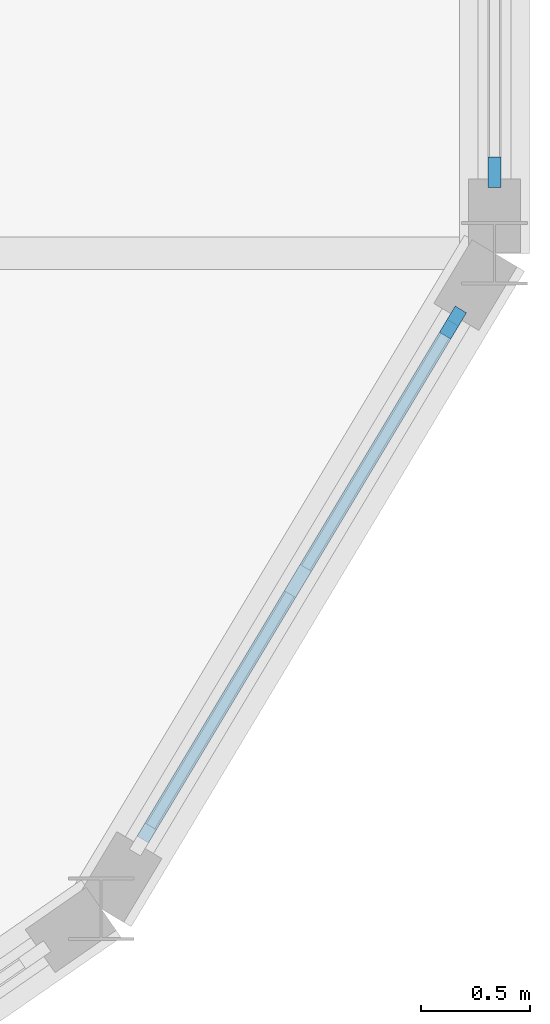
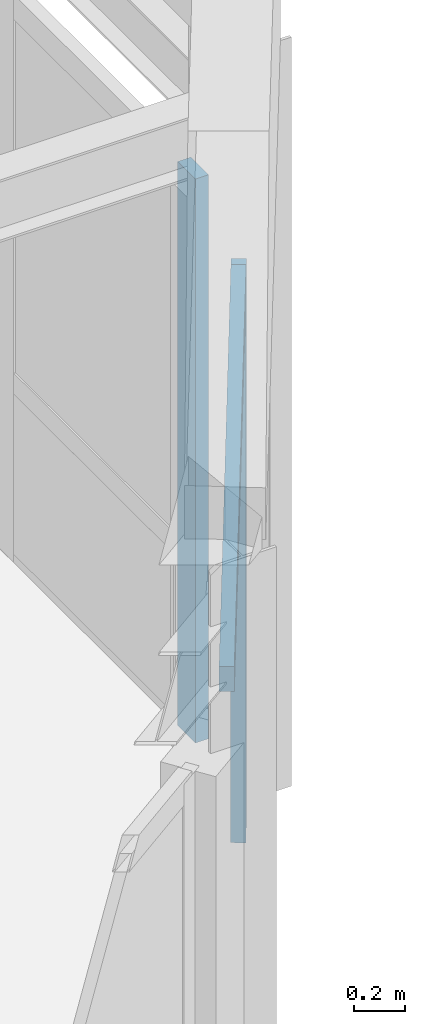
# One storey, part 8 of 21: 3 members, 2 elements without a shape of their own.
"""IFC4 building model written with IfcOpenShell, lengths in metres."""

from ifc_helpers import new_model, si_unit, direction, frame, origin, origin_2d, place, context, subcontext, project, spatial, rectangle, extrude, material, material_profile, profile_set, type_object, element, aggregate, save


model = new_model("IFC4")

# Units and contexts
model_context = context("Model", 3, precision=1e-05, world=origin(), true_north=direction((0.0, 1.0)))
body_context = subcontext(model_context, "Body", "Model", "MODEL_VIEW")
ifc_project = project(units=[si_unit("LENGTHUNIT", "METRE"), si_unit("AREAUNIT", "SQUARE_METRE"), si_unit("VOLUMEUNIT", "CUBIC_METRE"), si_unit("PLANEANGLEUNIT", "RADIAN"), si_unit("MASSUNIT", "GRAM", prefix="KILO")], contexts=[model_context])

# Site, building, storey
site_placement = place(None, origin())
site = spatial("IfcSite", under=ifc_project, at=site_placement, CompositionType="ELEMENT")
building_placement = place(site_placement, origin())
building = spatial("IfcBuilding", under=site, at=building_placement, Name="Kahlenmark Community Centre", CompositionType="ELEMENT")
storey_placement = place(building_placement, frame((0.0, 0.0, 21.60009765625)))
storey = spatial("IfcBuildingStorey", under=building, at=storey_placement, Name="L05", CompositionType="ELEMENT", Elevation=21.60009765625)

# Curtain wall, member
ifc_material_1 = material(Name="Anodised aluminium unitised curtain wall", Category="aluminium")
curtain_wall_type_1 = type_object("IfcCurtainWallType", Name="CWT-UNIT-282X271", PredefinedType="USERDEFINED", material=ifc_material_1)
curtain_wall_1_placement = place(storey_placement, origin())
curtain_wall_1 = element("IfcCurtainWall", 1, at=curtain_wall_1_placement, inside=storey, type_object=curtain_wall_type_1, Name="Unitised curtain wall CW-172", ObjectType="UNITISED CURTAIN WALL", PredefinedType="USERDEFINED")
ifc_material_2 = material(Name="Anodised aluminium 6063-T6", Category="aluminium")
ifc_material_profile_1 = material_profile(ifc_material_2, rectangle(XDim=0.06005859375, YDim=0.139892578125, at=origin_2d()), Name="ALU MULLION 60x140")
ifc_profile_set_1 = profile_set([ifc_material_profile_1], Name="Anodised aluminium 6063-T6")
member_type_1 = type_object("IfcMemberType", Name="MT-MUL-140", PredefinedType="MULLION", material=ifc_profile_set_1)
member_1_placement = place(storey_placement, frame((91.009765625, 80.48291015625, 0.0), z_axis=(0.0, 0.0, 1.0), x_axis=(-0.857492535386, 0.514496405972, 0.0)))
member_1 = element("IfcMember", 2, at=member_1_placement, type_object=member_type_1, Name="CW-172 mullion 3", PredefinedType="MULLION", context=body_context, shape_type="SweptSolid", body=[
    extrude(rectangle(XDim=0.06005859375, YDim=0.139892578125, at=origin_2d()), origin(), (0.0, 0.0, 1.0), 2.7099609375),
])

curtain_wall_type_2 = type_object("IfcCurtainWallType", Name="CWT-UNIT-292X271", PredefinedType="USERDEFINED", material=ifc_material_1)
curtain_wall_2_placement = place(storey_placement, origin())
curtain_wall_2 = element("IfcCurtainWall", 3, at=curtain_wall_2_placement, inside=storey, type_object=curtain_wall_type_2, Name="Unitised curtain wall CW-173", ObjectType="UNITISED CURTAIN WALL", PredefinedType="USERDEFINED")
member_2_placement = place(storey_placement, frame((91.199951171875, 81.169921875, 0.0), z_axis=(0.0, 0.0, 1.0), x_axis=(-1.0, 0.0, 0.0)))
member_2 = element("IfcMember", 4, at=member_2_placement, type_object=member_type_1, Name="CW-173 mullion 1", PredefinedType="MULLION", context=body_context, shape_type="SweptSolid", body=[
    extrude(rectangle(XDim=0.06005859375, YDim=0.139892578125, at=origin_2d()), origin(), (0.0, 0.0, 1.0), 2.7099609375),
])
aggregate(curtain_wall_2, [member_2])

# Member
ifc_material_profile_2 = material_profile(ifc_material_2, rectangle(XDim=0.06005859375, YDim=0.1201171875, at=origin_2d()), Name="ALU TRANSOM 60x120")
ifc_profile_set_2 = profile_set([ifc_material_profile_2], Name="Anodised aluminium 6063-T6")
member_type_2 = type_object("IfcMemberType", Name="MT-TRN-120", PredefinedType="USERDEFINED", material=ifc_profile_set_2)
member_3_placement = place(storey_placement, frame((89.59033203125, 78.1171875, 2.669921875), z_axis=(0.514495755428, 0.857492925713, 0.0), x_axis=(-0.857492925713, 0.514495755428, 0.0)))
member_3 = element("IfcMember", 5, at=member_3_placement, type_object=member_type_2, Name="CW-172 transom 3", ObjectType="TRANSOM", PredefinedType="USERDEFINED", context=body_context, shape_type="SweptSolid", body=[
    extrude(rectangle(XDim=0.06005859375, YDim=0.1201171875, at=origin_2d()), origin(), (0.0, 0.0, 1.0), 2.7587890625),
])

aggregate(curtain_wall_1, [member_1, member_3])

save(model, "model.ifc")
